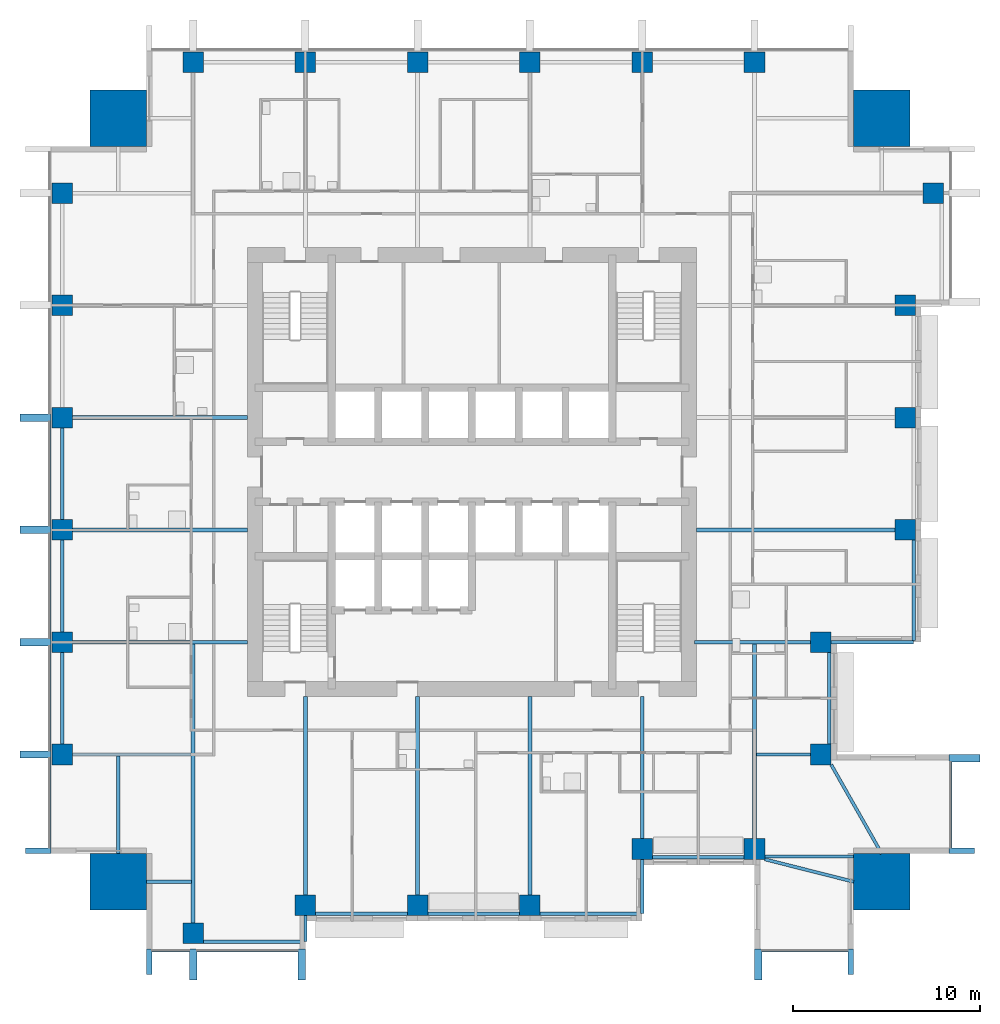
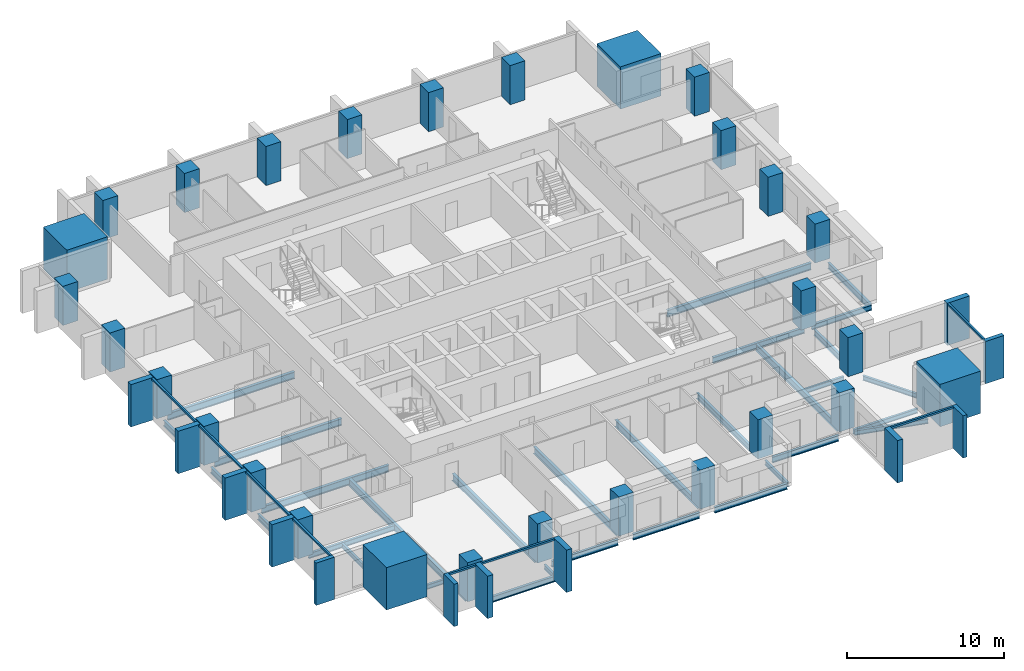
# One storey, part 1 of 10: 31 beams, 28 columns, 20 members, 4 elements without a shape of their own.
"""IFC4 building model written with IfcOpenShell, lengths in metres."""

from ifc_helpers import new_model, si_unit, direction, frame, origin, origin_2d, place, context, subcontext, project, spatial, rectangle, i_section, extrude, material, material_profile, profile_set, type_object, element, aggregate, save


model = new_model("IFC4")

# Units and contexts
model_context = context("Model", 3, precision=1e-05, world=origin(), true_north=direction((0.0, 1.0)))
body_context = subcontext(model_context, "Body", "Model", "MODEL_VIEW")
ifc_project = project(units=[si_unit("LENGTHUNIT", "METRE"), si_unit("AREAUNIT", "SQUARE_METRE"), si_unit("VOLUMEUNIT", "CUBIC_METRE"), si_unit("PLANEANGLEUNIT", "RADIAN"), si_unit("MASSUNIT", "GRAM", prefix="KILO")], contexts=[model_context])

# Site, building, storey
site_placement = place(None, origin())
site = spatial("IfcSite", under=ifc_project, at=site_placement, CompositionType="ELEMENT")
building_placement = place(site_placement, origin())
building = spatial("IfcBuilding", under=site, at=building_placement, Name="Amberfall Residences", CompositionType="ELEMENT")
storey_placement = place(building_placement, frame((0.0, 0.0, 85.300048828125)))
storey = spatial("IfcBuildingStorey", under=building, at=storey_placement, Name="L22", CompositionType="ELEMENT", Elevation=85.300048828125)

# Columns
ifc_material_1 = material(Name="Concrete C70", Category="concrete")
ifc_material_profile_1 = material_profile(ifc_material_1, rectangle(XDim=1.10009765625, YDim=1.10009765625, at=origin_2d()), Name="Column 1100 x 1100 C70")
ifc_profile_set_1 = profile_set([ifc_material_profile_1], Name="Concrete C70")
column_type_1 = type_object("IfcColumnType", Name="Column 1100 x 1100 C70", PredefinedType="COLUMN", material=ifc_profile_set_1)
for number, where, z_axis, x_axis, name in (
    (1, (59.60009765625, 20.85009765625, 0.0), (0.0, 0.0, 1.0), (1.0, 0.0, 0.0), "Column C2 L22 S1"),
    (2, (65.60009765625, 22.35009765625, 0.0), (0.0, 0.0, 1.0), (1.0, 0.0, 0.0), "Column C2 L22 S2"),
    (3, (71.60009765625, 22.35009765625, 0.0), (0.0, 0.0, 1.0), (1.0, 0.0, 0.0), "Column C2 L22 S3"),
    (4, (77.60009765625, 22.35009765625, 0.0), (0.0, 0.0, 1.0), (1.0, 0.0, 0.0), "Column C2 L22 S4"),
    (5, (83.60009765625, 25.35009765625, 0.0), (0.0, 0.0, 1.0), (1.0, 0.0, 0.0), "Column C2 L22 S5"),
    (6, (89.60009765625, 25.35009765625, 0.0), (0.0, 0.0, 1.0), (1.0, 0.0, 0.0), "Column C2 L22 S6"),
    (7, (93.14990234375, 30.39990234375, 0.0), (0.0, 0.0, 1.0), (1.0, 0.0, 0.0), "Column C2 L22 E1"),
    (8, (93.14990234375, 36.39990234375, 0.0), (0.0, 0.0, 1.0), (1.0, 0.0, 0.0), "Column C2 L22 E2"),
    (9, (97.64990234375, 42.39990234375, 0.0), (0.0, 0.0, 1.0), (1.0, 0.0, 0.0), "Column C2 L22 E3"),
    (10, (97.64990234375, 48.39990234375, 0.0), (0.0, 0.0, 1.0), (1.0, 0.0, 0.0), "Column C2 L22 E4"),
    (11, (97.64990234375, 54.39990234375, 0.0), (0.0, 0.0, 1.0), (1.0, 0.0, 0.0), "Column C2 L22 E5"),
    (12, (99.14990234375, 60.39990234375, 0.0), (0.0, 0.0, 1.0), (1.0, 0.0, 0.0), "Column C2 L22 E6"),
    (13, (59.60009765625, 67.39990234375, 0.0), (0.0, 0.0, 1.0), (1.0, 0.0, 0.0), "Column C2 L22 N1"),
    (14, (65.60009765625, 67.39990234375, 0.0), (0.0, 0.0, 1.0), (1.0, 0.0, 0.0), "Column C2 L22 N2"),
    (15, (71.60009765625, 67.39990234375, 0.0), (0.0, 0.0, 1.0), (1.0, 0.0, 0.0), "Column C2 L22 N3"),
    (16, (77.60009765625, 67.39990234375, 0.0), (0.0, 0.0, 1.0), (1.0, 0.0, 0.0), "Column C2 L22 N4"),
    (17, (83.60009765625, 67.39990234375, 0.0), (0.0, 0.0, 1.0), (1.0, 0.0, 0.0), "Column C2 L22 N5"),
    (18, (89.60009765625, 67.39990234375, 0.0), (0.0, 0.0, 1.0), (1.0, 0.0, 0.0), "Column C2 L22 N6"),
    (19, (52.60009765625, 30.39990234375, 0.0), (0.0, 0.0, 1.0), (1.0, 0.0, 0.0), "Column C2 L22 W1"),
    (20, (52.60009765625, 36.39990234375, 0.0), (0.0, 0.0, 1.0), (1.0, 0.0, 0.0), "Column C2 L22 W2"),
    (21, (52.60009765625, 42.39990234375, 0.0), (0.0, 0.0, 1.0), (1.0, 0.0, 0.0), "Column C2 L22 W3"),
    (22, (52.60009765625, 48.39990234375, 0.0), (0.0, 0.0, 1.0), (1.0, 0.0, 0.0), "Column C2 L22 W4"),
    (23, (52.60009765625, 54.39990234375, 0.0), (0.0, 0.0, 1.0), (1.0, 0.0, 0.0), "Column C2 L22 W5"),
    (24, (52.60009765625, 60.39990234375, 0.0), (0.0, 0.0, 1.0), (1.0, 0.0, 0.0), "Column C2 L22 W6"),
):
    element("IfcColumn", number, at=place(storey_placement, frame(where, z_axis=z_axis, x_axis=x_axis)), inside=storey, type_object=column_type_1, Name=name, PredefinedType="COLUMN", context=body_context, shape_type="SweptSolid", body=[
        extrude(rectangle(XDim=1.10009765625, YDim=1.10009765625, at=origin_2d()), origin(), (0.0, 0.0, 1.0), 3.050048828125),
    ])
ifc_material_profile_2 = material_profile(ifc_material_1, rectangle(XDim=3.0, YDim=3.0, at=origin_2d()), Name="Mega column 3000 x 3000 C70")
ifc_profile_set_2 = profile_set([ifc_material_profile_2], Name="Concrete C70")
column_type_2 = type_object("IfcColumnType", Name="Mega column 3000 x 3000 C70", PredefinedType="COLUMN", material=ifc_profile_set_2)
for number, where, z_axis, x_axis, name in (
    (25, (55.60009765625, 23.60009765625, 0.0), (0.0, 0.0, 1.0), (1.0, 0.0, 0.0), "Mega column MC2 L22 SW"),
    (26, (96.39990234375, 23.60009765625, 0.0), (0.0, 0.0, 1.0), (1.0, 0.0, 0.0), "Mega column MC2 L22 SE"),
    (27, (96.39990234375, 64.39990234375, 0.0), (0.0, 0.0, 1.0), (1.0, 0.0, 0.0), "Mega column MC2 L22 NE"),
    (28, (55.60009765625, 64.39990234375, 0.0), (0.0, 0.0, 1.0), (1.0, 0.0, 0.0), "Mega column MC2 L22 NW"),
):
    element("IfcColumn", number, at=place(storey_placement, frame(where, z_axis=z_axis, x_axis=x_axis)), inside=storey, type_object=column_type_2, Name=name, PredefinedType="COLUMN", context=body_context, shape_type="SweptSolid", body=[
        extrude(rectangle(XDim=3.0, YDim=3.0, at=origin_2d()), origin(), (0.0, 0.0, 1.0), 3.300048828125),
    ])

# Curtain wall, members
ifc_material_2 = material(Name="Bronze anodised aluminium and glass", Category="aluminium")
curtain_wall_type = type_object("IfcCurtainWallType", Name="Curtain wall CW1 tower unit", PredefinedType="USERDEFINED", material=ifc_material_2)
curtain_wall_1_placement = place(storey_placement, origin())
curtain_wall_1 = element("IfcCurtainWall", 29, at=curtain_wall_1_placement, inside=storey, type_object=curtain_wall_type, Name="Curtain wall L22 S S1", ObjectType="UNITISED CURTAIN WALL", PredefinedType="USERDEFINED")
ifc_material_3 = material(Name="Bronze anodised aluminium", Category="aluminium")
ifc_material_profile_3 = material_profile(ifc_material_3, rectangle(XDim=0.14990234375, YDim=0.14990234375, at=origin_2d()), Name="CW1 transom 150 x 150 bronze")
ifc_profile_set_3 = profile_set([ifc_material_profile_3], Name="Bronze anodised aluminium")
member_type_1 = type_object("IfcMemberType", Name="CW1 transom 150 x 150 bronze", PredefinedType="USERDEFINED", material=ifc_profile_set_3)
member_1_placement = place(storey_placement, frame((57.39990234375, 19.925048828125, 2.974853515625), z_axis=(1.0, 0.0, 0.0), x_axis=(0.0, 1.0, 0.0)))
member_1 = element("IfcMember", 30, at=member_1_placement, type_object=member_type_1, Name="CW1 transom 1.1", ObjectType="TRANSOM", PredefinedType="USERDEFINED", context=body_context, shape_type="SweptSolid", body=[
    extrude(rectangle(XDim=0.14990234375, YDim=0.14990234375, at=origin_2d()), origin(), (0.0, 0.0, 1.0), 2.0),
])
member_2_placement = place(storey_placement, frame((59.800048828125, 19.925048828125, 2.974853515625), z_axis=(1.0, 0.0, 0.0), x_axis=(0.0, 1.0, 0.0)))
member_2 = element("IfcMember", 31, at=member_2_placement, type_object=member_type_1, Name="CW1 transom 2.1", ObjectType="TRANSOM", PredefinedType="USERDEFINED", context=body_context, shape_type="SweptSolid", body=[
    extrude(rectangle(XDim=0.14990234375, YDim=0.14990234375, at=origin_2d()), origin(), (0.0, 0.0, 1.0), 5.39990234375),
])

# Curtain wall, member
curtain_wall_2_placement = place(storey_placement, origin())
curtain_wall_2 = element("IfcCurtainWall", 32, at=curtain_wall_2_placement, inside=storey, type_object=curtain_wall_type, Name="Curtain wall L22 S S9", ObjectType="UNITISED CURTAIN WALL", PredefinedType="USERDEFINED")
member_3_placement = place(storey_placement, frame((90.0, 19.925048828125, 2.974853515625), z_axis=(1.0, 0.0, 0.0), x_axis=(0.0, 1.0, 0.0)))
member_3 = element("IfcMember", 33, at=member_3_placement, type_object=member_type_1, Name="CW1 transom 1.1", ObjectType="TRANSOM", PredefinedType="USERDEFINED", context=body_context, shape_type="SweptSolid", body=[
    extrude(rectangle(XDim=0.14990234375, YDim=0.14990234375, at=origin_2d()), origin(), (0.0, 0.0, 1.0), 4.60009765625),
])

curtain_wall_3_placement = place(storey_placement, origin())
curtain_wall_3 = element("IfcCurtainWall", 34, at=curtain_wall_3_placement, inside=storey, type_object=curtain_wall_type, Name="Curtain wall L22 E E1", ObjectType="UNITISED CURTAIN WALL", PredefinedType="USERDEFINED")
member_4_placement = place(storey_placement, frame((100.074951171875, 25.39990234375, 2.974853515625), z_axis=(0.0, 1.0, 0.0), x_axis=(-1.0, 0.0, 0.0)))
member_4 = element("IfcMember", 35, at=member_4_placement, type_object=member_type_1, Name="CW1 transom 1.1", ObjectType="TRANSOM", PredefinedType="USERDEFINED", context=body_context, shape_type="SweptSolid", body=[
    extrude(rectangle(XDim=0.14990234375, YDim=0.14990234375, at=origin_2d()), origin(), (0.0, 0.0, 1.0), 4.60009765625),
])

# Curtain wall, members
curtain_wall_4_placement = place(storey_placement, origin())
curtain_wall_4 = element("IfcCurtainWall", 36, at=curtain_wall_4_placement, inside=storey, type_object=curtain_wall_type, Name="Curtain wall L22 W W1", ObjectType="UNITISED CURTAIN WALL", PredefinedType="USERDEFINED")
member_5_placement = place(storey_placement, frame((51.925048828125, 48.199951171875, 2.974853515625), z_axis=(0.0, -1.0, 0.0), x_axis=(1.0, 0.0, 0.0)))
member_5 = element("IfcMember", 37, at=member_5_placement, type_object=member_type_1, Name="CW1 transom 4.1", ObjectType="TRANSOM", PredefinedType="USERDEFINED", context=body_context, shape_type="SweptSolid", body=[
    extrude(rectangle(XDim=0.14990234375, YDim=0.14990234375, at=origin_2d()), origin(), (0.0, 0.0, 1.0), 5.599853515625),
])
member_6_placement = place(storey_placement, frame((51.925048828125, 42.199951171875, 2.974853515625), z_axis=(0.0, -1.0, 0.0), x_axis=(1.0, 0.0, 0.0)))
member_6 = element("IfcMember", 38, at=member_6_placement, type_object=member_type_1, Name="CW1 transom 5.1", ObjectType="TRANSOM", PredefinedType="USERDEFINED", context=body_context, shape_type="SweptSolid", body=[
    extrude(rectangle(XDim=0.14990234375, YDim=0.14990234375, at=origin_2d()), origin(), (0.0, 0.0, 1.0), 5.599853515625),
])
member_7_placement = place(storey_placement, frame((51.925048828125, 36.199951171875, 2.974853515625), z_axis=(0.0, -1.0, 0.0), x_axis=(1.0, 0.0, 0.0)))
member_7 = element("IfcMember", 39, at=member_7_placement, type_object=member_type_1, Name="CW1 transom 6.1", ObjectType="TRANSOM", PredefinedType="USERDEFINED", context=body_context, shape_type="SweptSolid", body=[
    extrude(rectangle(XDim=0.14990234375, YDim=0.14990234375, at=origin_2d()), origin(), (0.0, 0.0, 1.0), 5.599853515625),
])
member_8_placement = place(storey_placement, frame((51.925048828125, 30.199951171875, 2.974853515625), z_axis=(0.0, -1.0, 0.0), x_axis=(1.0, 0.0, 0.0)))
member_8 = element("IfcMember", 40, at=member_8_placement, type_object=member_type_1, Name="CW1 transom 7.1", ObjectType="TRANSOM", PredefinedType="USERDEFINED", context=body_context, shape_type="SweptSolid", body=[
    extrude(rectangle(XDim=0.14990234375, YDim=0.14990234375, at=origin_2d()), origin(), (0.0, 0.0, 1.0), 4.800048828125),
])

# Beams
ifc_material_4 = material(Name="Steel S355", Category="steel")
ifc_material_profile_4 = material_profile(ifc_material_4, i_section(OverallWidth=0.171142578125, OverallDepth=0.351318359375, WebThickness=0.007080078125, FlangeThickness=0.009765625, FilletRadius=0.01025390625, at=origin_2d()), Name="UB 356x171x45")
ifc_profile_set_4 = profile_set([ifc_material_profile_4], Name="Steel S355")
beam_type_1 = type_object("IfcBeamType", Name="Cantilever girder UB 356x171x45", PredefinedType="BEAM", material=ifc_profile_set_4)
beam_1_placement = place(storey_placement, frame((65.60009765625, 21.800048828125, -0.42578125), z_axis=(0.0, -1.0, 0.0), x_axis=(1.0, 0.0, 0.0)))
element("IfcBeam", 41, at=beam_1_placement, inside=storey, type_object=beam_type_1, Name="Cantilever girder B8 L22 06", PredefinedType="BEAM", context=body_context, shape_type="SweptSolid", body=[
    extrude(i_section(OverallWidth=0.171142578125, OverallDepth=0.351318359375, WebThickness=0.007080078125, FlangeThickness=0.009765625, FilletRadius=0.01025390625, at=origin_2d()), origin(), (0.0, 0.0, 1.0), 1.400146484375),
])
beam_2_placement = place(storey_placement, frame((83.60009765625, 24.800048828125, -0.42578125), z_axis=(0.0, -1.0, 0.0), x_axis=(1.0, 0.0, 0.0)))
element("IfcBeam", 42, at=beam_2_placement, inside=storey, type_object=beam_type_1, Name="Cantilever girder B8 L22 07", PredefinedType="BEAM", context=body_context, shape_type="SweptSolid", body=[
    extrude(i_section(OverallWidth=0.171142578125, OverallDepth=0.351318359375, WebThickness=0.007080078125, FlangeThickness=0.009765625, FilletRadius=0.01025390625, at=origin_2d()), origin(), (0.0, 0.0, 1.0), 2.900146484375),
])
ifc_material_profile_5 = material_profile(ifc_material_4, i_section(OverallWidth=0.177734375, OverallDepth=0.402587890625, WebThickness=0.0078125, FlangeThickness=0.010986328125, FilletRadius=0.01025390625, at=origin_2d()), Name="UB 406x178x54")
ifc_profile_set_5 = profile_set([ifc_material_profile_5], Name="Steel S355")
beam_type_2 = type_object("IfcBeamType", Name="Cantilever girder UB 406x178x54", PredefinedType="BEAM", material=ifc_profile_set_5)
beam_3_placement = place(storey_placement, frame((93.699951171875, 36.39990234375, -0.451416015625), z_axis=(1.0, 0.0, 0.0), x_axis=(0.0, 1.0, 0.0)))
element("IfcBeam", 43, at=beam_3_placement, inside=storey, type_object=beam_type_2, Name="Cantilever girder B9 L22 19", PredefinedType="BEAM", context=body_context, shape_type="SweptSolid", body=[
    extrude(i_section(OverallWidth=0.177734375, OverallDepth=0.402587890625, WebThickness=0.0078125, FlangeThickness=0.010986328125, FilletRadius=0.01025390625, at=origin_2d()), origin(), (0.0, 0.0, 1.0), 4.400146484375),
])

# Member
ifc_material_profile_6 = material_profile(ifc_material_3, rectangle(XDim=1.35009765625, YDim=0.300048828125, at=origin_2d()), Name="Corner fin 300 x 1350 bronze")
ifc_profile_set_6 = profile_set([ifc_material_profile_6], Name="Bronze anodised aluminium")
member_type_2 = type_object("IfcMemberType", Name="Corner fin 300 x 1350 bronze", PredefinedType="MULLION", material=ifc_profile_set_6)
member_9_placement = place(storey_placement, frame((57.25, 19.324951171875, -0.25), z_axis=(0.0, 0.0, 1.0), x_axis=(0.0, 1.0, 0.0)))
member_9 = element("IfcMember", 44, at=member_9_placement, type_object=member_type_2, Name="CW FIN 1", PredefinedType="MULLION", context=body_context, shape_type="SweptSolid", body=[
    extrude(rectangle(XDim=1.35009765625, YDim=0.300048828125, at=origin_2d()), origin(), (0.0, 0.0, 1.0), 3.300048828125),
])

member_10_placement = place(storey_placement, frame((94.75, 19.324951171875, -0.25), z_axis=(0.0, 0.0, 1.0), x_axis=(0.0, 1.0, 0.0)))
member_10 = element("IfcMember", 45, at=member_10_placement, type_object=member_type_2, Name="CW FIN 2", PredefinedType="MULLION", context=body_context, shape_type="SweptSolid", body=[
    extrude(rectangle(XDim=1.35009765625, YDim=0.300048828125, at=origin_2d()), origin(), (0.0, 0.0, 1.0), 3.300048828125),
])

member_11_placement = place(storey_placement, frame((100.675048828125, 25.25, -0.25), z_axis=(0.0, 0.0, 1.0), x_axis=(-1.0, 0.0, 0.0)))
member_11 = element("IfcMember", 46, at=member_11_placement, type_object=member_type_2, Name="CW FIN 1", PredefinedType="MULLION", context=body_context, shape_type="SweptSolid", body=[
    extrude(rectangle(XDim=1.35009765625, YDim=0.300048828125, at=origin_2d()), origin(), (0.0, 0.0, 1.0), 3.300048828125),
])

member_12_placement = place(storey_placement, frame((51.324951171875, 25.25, -0.25), z_axis=(0.0, 0.0, 1.0), x_axis=(1.0, 0.0, 0.0)))
member_12 = element("IfcMember", 47, at=member_12_placement, type_object=member_type_2, Name="CW FIN 8", PredefinedType="MULLION", context=body_context, shape_type="SweptSolid", body=[
    extrude(rectangle(XDim=1.35009765625, YDim=0.300048828125, at=origin_2d()), origin(), (0.0, 0.0, 1.0), 3.300048828125),
])

# Beams
ifc_material_profile_7 = material_profile(ifc_material_4, i_section(OverallWidth=0.18994140625, OverallDepth=0.453369140625, WebThickness=0.008544921875, FlangeThickness=0.0126953125, FilletRadius=0.01025390625, at=origin_2d()), Name="UB 457x191x67")
ifc_profile_set_7 = profile_set([ifc_material_profile_7], Name="Steel S355")
beam_type_3 = type_object("IfcBeamType", Name="Edge beam UB 457x191x67", PredefinedType="SPANDREL", material=ifc_profile_set_7)
beam_4_placement = place(storey_placement, frame((60.14990234375, 20.39990234375, -0.476806640625), z_axis=(1.0, 0.0, 0.0), x_axis=(0.0, 1.0, 0.0)))
element("IfcBeam", 48, at=beam_4_placement, inside=storey, type_object=beam_type_3, Name="Edge beam B1 L22 01", PredefinedType="SPANDREL", context=body_context, shape_type="SweptSolid", body=[
    extrude(i_section(OverallWidth=0.18994140625, OverallDepth=0.453369140625, WebThickness=0.008544921875, FlangeThickness=0.0126953125, FilletRadius=0.01025390625, at=origin_2d()), origin(), (0.0, 0.0, 1.0), 5.3701171875),
])
for number, where, z_axis, x_axis, name in (
    (49, (66.14990234375, 21.89990234375, -0.476806640625), (1.0, 0.0, 0.0), (0.0, 1.0, 0.0), "Edge beam B1 L22 02"),
    (50, (72.14990234375, 21.89990234375, -0.476806640625), (1.0, 0.0, 0.0), (0.0, 1.0, 0.0), "Edge beam B1 L22 03"),
):
    element("IfcBeam", number, at=place(storey_placement, frame(where, z_axis=z_axis, x_axis=x_axis)), inside=storey, type_object=beam_type_3, Name=name, PredefinedType="SPANDREL", context=body_context, shape_type="SweptSolid", body=[
        extrude(i_section(OverallWidth=0.18994140625, OverallDepth=0.453369140625, WebThickness=0.008544921875, FlangeThickness=0.0126953125, FilletRadius=0.01025390625, at=origin_2d()), origin(), (0.0, 0.0, 1.0), 4.900146484375),
    ])
beam_5_placement = place(storey_placement, frame((78.14990234375, 21.89990234375, -0.476806640625), z_axis=(1.0, 0.0, 0.0), x_axis=(0.0, 1.0, 0.0)))
element("IfcBeam", 51, at=beam_5_placement, inside=storey, type_object=beam_type_3, Name="Edge beam B1 L22 04", PredefinedType="SPANDREL", context=body_context, shape_type="SweptSolid", body=[
    extrude(i_section(OverallWidth=0.18994140625, OverallDepth=0.453369140625, WebThickness=0.008544921875, FlangeThickness=0.0126953125, FilletRadius=0.01025390625, at=origin_2d()), origin(), (0.0, 0.0, 1.0), 5.3701171875),
])
for number, where, z_axis, x_axis, name in (
    (52, (84.14990234375, 24.89990234375, -0.476806640625), (1.0, 0.0, 0.0), (0.0, 1.0, 0.0), "Edge beam B1 L22 05"),
    (53, (93.60009765625, 30.949951171875, -0.476806640625), (0.0, 1.0, 0.0), (-1.0, 0.0, 0.0), "Edge beam B1 L22 14"),
):
    element("IfcBeam", number, at=place(storey_placement, frame(where, z_axis=z_axis, x_axis=x_axis)), inside=storey, type_object=beam_type_3, Name=name, PredefinedType="SPANDREL", context=body_context, shape_type="SweptSolid", body=[
        extrude(i_section(OverallWidth=0.18994140625, OverallDepth=0.453369140625, WebThickness=0.008544921875, FlangeThickness=0.0126953125, FilletRadius=0.01025390625, at=origin_2d()), origin(), (0.0, 0.0, 1.0), 4.900146484375),
    ])
beam_6_placement = place(storey_placement, frame((98.10009765625, 36.47998046875, -0.476806640625), z_axis=(0.0, 1.0, 0.0), x_axis=(-1.0, 0.0, 0.0)))
element("IfcBeam", 54, at=beam_6_placement, inside=storey, type_object=beam_type_3, Name="Edge beam B1 L22 15", PredefinedType="SPANDREL", context=body_context, shape_type="SweptSolid", body=[
    extrude(i_section(OverallWidth=0.18994140625, OverallDepth=0.453369140625, WebThickness=0.008544921875, FlangeThickness=0.0126953125, FilletRadius=0.01025390625, at=origin_2d()), origin(), (0.0, 0.0, 1.0), 5.3701171875),
])
for number, where, z_axis, x_axis, name in (
    (55, (52.60009765625, 30.949951171875, -0.476806640625), (0.0, 1.0, 0.0), (-1.0, 0.0, 0.0), "Edge beam B1 L22 38"),
    (56, (52.60009765625, 36.949951171875, -0.476806640625), (0.0, 1.0, 0.0), (-1.0, 0.0, 0.0), "Edge beam B1 L22 39"),
    (57, (52.60009765625, 42.949951171875, -0.476806640625), (0.0, 1.0, 0.0), (-1.0, 0.0, 0.0), "Edge beam B1 L22 40"),
):
    element("IfcBeam", number, at=place(storey_placement, frame(where, z_axis=z_axis, x_axis=x_axis)), inside=storey, type_object=beam_type_3, Name=name, PredefinedType="SPANDREL", context=body_context, shape_type="SweptSolid", body=[
        extrude(i_section(OverallWidth=0.18994140625, OverallDepth=0.453369140625, WebThickness=0.008544921875, FlangeThickness=0.0126953125, FilletRadius=0.01025390625, at=origin_2d()), origin(), (0.0, 0.0, 1.0), 4.900146484375),
    ])

# Member
ifc_material_profile_8 = material_profile(ifc_material_3, rectangle(XDim=1.64990234375, YDim=0.39990234375, at=origin_2d()), Name="Fin 400 x 1650 bronze")
ifc_profile_set_8 = profile_set([ifc_material_profile_8], Name="Bronze anodised aluminium")
member_type_3 = type_object("IfcMemberType", Name="Fin 400 x 1650 bronze", PredefinedType="MULLION", material=ifc_profile_set_8)
member_13_placement = place(storey_placement, frame((59.60009765625, 19.175048828125, -0.25), z_axis=(0.0, 0.0, 1.0), x_axis=(0.0, 1.0, 0.0)))
member_13 = element("IfcMember", 58, at=member_13_placement, type_object=member_type_3, Name="CW FIN 2", PredefinedType="MULLION", context=body_context, shape_type="SweptSolid", body=[
    extrude(rectangle(XDim=1.64990234375, YDim=0.39990234375, at=origin_2d()), origin(), (0.0, 0.0, 1.0), 3.300048828125),
])

member_14_placement = place(storey_placement, frame((65.39990234375, 19.175048828125, -0.25), z_axis=(0.0, 0.0, 1.0), x_axis=(0.0, 1.0, 0.0)))
member_14 = element("IfcMember", 59, at=member_14_placement, type_object=member_type_3, Name="CW FIN 3", PredefinedType="MULLION", context=body_context, shape_type="SweptSolid", body=[
    extrude(rectangle(XDim=1.64990234375, YDim=0.39990234375, at=origin_2d()), origin(), (0.0, 0.0, 1.0), 3.300048828125),
])

aggregate(curtain_wall_1, [member_9, member_13, member_14, member_1, member_2])

member_15_placement = place(storey_placement, frame((89.800048828125, 19.175048828125, -0.25), z_axis=(0.0, 0.0, 1.0), x_axis=(0.0, 1.0, 0.0)))
member_15 = element("IfcMember", 60, at=member_15_placement, type_object=member_type_3, Name="CW FIN 1", PredefinedType="MULLION", context=body_context, shape_type="SweptSolid", body=[
    extrude(rectangle(XDim=1.64990234375, YDim=0.39990234375, at=origin_2d()), origin(), (0.0, 0.0, 1.0), 3.300048828125),
])

aggregate(curtain_wall_2, [member_15, member_10, member_3])

member_16_placement = place(storey_placement, frame((100.824951171875, 30.199951171875, -0.25), z_axis=(0.0, 0.0, 1.0), x_axis=(-1.0, 0.0, 0.0)))
member_16 = element("IfcMember", 61, at=member_16_placement, type_object=member_type_3, Name="CW FIN 2", PredefinedType="MULLION", context=body_context, shape_type="SweptSolid", body=[
    extrude(rectangle(XDim=1.64990234375, YDim=0.39990234375, at=origin_2d()), origin(), (0.0, 0.0, 1.0), 3.300048828125),
])

aggregate(curtain_wall_3, [member_11, member_16, member_4])

member_17_placement = place(storey_placement, frame((51.175048828125, 48.39990234375, -0.25), z_axis=(0.0, 0.0, 1.0), x_axis=(1.0, 0.0, 0.0)))
member_17 = element("IfcMember", 62, at=member_17_placement, type_object=member_type_3, Name="CW FIN 4", PredefinedType="MULLION", context=body_context, shape_type="SweptSolid", body=[
    extrude(rectangle(XDim=1.64990234375, YDim=0.39990234375, at=origin_2d()), origin(), (0.0, 0.0, 1.0), 3.300048828125),
])

member_18_placement = place(storey_placement, frame((51.175048828125, 42.39990234375, -0.25), z_axis=(0.0, 0.0, 1.0), x_axis=(1.0, 0.0, 0.0)))
member_18 = element("IfcMember", 63, at=member_18_placement, type_object=member_type_3, Name="CW FIN 5", PredefinedType="MULLION", context=body_context, shape_type="SweptSolid", body=[
    extrude(rectangle(XDim=1.64990234375, YDim=0.39990234375, at=origin_2d()), origin(), (0.0, 0.0, 1.0), 3.300048828125),
])

member_19_placement = place(storey_placement, frame((51.175048828125, 36.39990234375, -0.25), z_axis=(0.0, 0.0, 1.0), x_axis=(1.0, 0.0, 0.0)))
member_19 = element("IfcMember", 64, at=member_19_placement, type_object=member_type_3, Name="CW FIN 6", PredefinedType="MULLION", context=body_context, shape_type="SweptSolid", body=[
    extrude(rectangle(XDim=1.64990234375, YDim=0.39990234375, at=origin_2d()), origin(), (0.0, 0.0, 1.0), 3.300048828125),
])

member_20_placement = place(storey_placement, frame((51.175048828125, 30.39990234375, -0.25), z_axis=(0.0, 0.0, 1.0), x_axis=(1.0, 0.0, 0.0)))
member_20 = element("IfcMember", 65, at=member_20_placement, type_object=member_type_3, Name="CW FIN 7", PredefinedType="MULLION", context=body_context, shape_type="SweptSolid", body=[
    extrude(rectangle(XDim=1.64990234375, YDim=0.39990234375, at=origin_2d()), origin(), (0.0, 0.0, 1.0), 3.300048828125),
])

aggregate(curtain_wall_4, [member_17, member_18, member_19, member_20, member_12, member_5, member_6, member_7, member_8])

# Beams
ifc_material_profile_9 = material_profile(ifc_material_4, i_section(OverallWidth=0.171142578125, OverallDepth=0.351318359375, WebThickness=0.007080078125, FlangeThickness=0.009765625, FilletRadius=0.01025390625, at=origin_2d()), Name="UB 356x171x45")
ifc_profile_set_9 = profile_set([ifc_material_profile_9], Name="Steel S355")
beam_type_4 = type_object("IfcBeamType", Name="Floor girder UB 356x171x45", PredefinedType="BEAM", material=ifc_profile_set_9)
beam_7_placement = place(storey_placement, frame((92.60009765625, 30.39990234375, -0.42578125), z_axis=(-1.0, 0.0, 0.0), x_axis=(0.0, -1.0, 0.0)))
element("IfcBeam", 66, at=beam_7_placement, inside=storey, type_object=beam_type_4, Name="Floor girder B11 L22 21", PredefinedType="BEAM", context=body_context, shape_type="SweptSolid", body=[
    extrude(i_section(OverallWidth=0.171142578125, OverallDepth=0.351318359375, WebThickness=0.007080078125, FlangeThickness=0.009765625, FilletRadius=0.01025390625, at=origin_2d()), origin(), (0.0, 0.0, 1.0), 2.880126953125),
])
ifc_material_profile_10 = material_profile(ifc_material_4, i_section(OverallWidth=0.177734375, OverallDepth=0.402587890625, WebThickness=0.0078125, FlangeThickness=0.010986328125, FilletRadius=0.01025390625, at=origin_2d()), Name="UB 406x178x54")
ifc_profile_set_10 = profile_set([ifc_material_profile_10], Name="Steel S355")
beam_type_5 = type_object("IfcBeamType", Name="Floor girder UB 406x178x54", PredefinedType="BEAM", material=ifc_profile_set_10)
beam_8_placement = place(storey_placement, frame((53.14990234375, 30.39990234375, -0.451416015625), z_axis=(1.0, 0.0, 0.0), x_axis=(0.0, 1.0, 0.0)))
element("IfcBeam", 67, at=beam_8_placement, inside=storey, type_object=beam_type_5, Name="Floor girder B4 L22 43", PredefinedType="BEAM", context=body_context, shape_type="SweptSolid", body=[
    extrude(i_section(OverallWidth=0.177734375, OverallDepth=0.402587890625, WebThickness=0.0078125, FlangeThickness=0.010986328125, FilletRadius=0.01025390625, at=origin_2d()), origin(), (0.0, 0.0, 1.0), 6.330078125),
])
ifc_material_profile_11 = material_profile(ifc_material_4, i_section(OverallWidth=0.19140625, OverallDepth=0.4599609375, WebThickness=0.010009765625, FlangeThickness=0.01611328125, FilletRadius=0.01025390625, at=origin_2d()), Name="UB 457x191x82")
ifc_profile_set_11 = profile_set([ifc_material_profile_11], Name="Steel S355")
beam_type_6 = type_object("IfcBeamType", Name="Floor girder UB 457x191x82", PredefinedType="BEAM", material=ifc_profile_set_11)
beam_9_placement = place(storey_placement, frame((83.60009765625, 25.89990234375, -0.47998046875), z_axis=(0.0, 1.0, 0.0), x_axis=(-1.0, 0.0, 0.0)))
element("IfcBeam", 68, at=beam_9_placement, inside=storey, type_object=beam_type_6, Name="Floor girder B10 L22 12", PredefinedType="BEAM", context=body_context, shape_type="SweptSolid", body=[
    extrude(i_section(OverallWidth=0.19140625, OverallDepth=0.4599609375, WebThickness=0.010009765625, FlangeThickness=0.01611328125, FilletRadius=0.01025390625, at=origin_2d()), origin(), (0.0, 0.0, 1.0), 7.60009765625),
])
beam_10_placement = place(storey_placement, frame((93.14990234375, 36.39990234375, -0.47998046875), z_axis=(-1.0, 0.0, 0.0), x_axis=(0.0, -1.0, 0.0)))
element("IfcBeam", 69, at=beam_10_placement, inside=storey, type_object=beam_type_6, Name="Floor girder B10 L22 22", PredefinedType="BEAM", context=body_context, shape_type="SweptSolid", body=[
    extrude(i_section(OverallWidth=0.19140625, OverallDepth=0.4599609375, WebThickness=0.010009765625, FlangeThickness=0.01611328125, FilletRadius=0.01025390625, at=origin_2d()), origin(), (0.0, 0.0, 1.0), 6.75),
])
ifc_material_profile_12 = material_profile(ifc_material_4, i_section(OverallWidth=0.210693359375, OverallDepth=0.53955078125, WebThickness=0.01171875, FlangeThickness=0.018798828125, FilletRadius=0.0126953125, at=origin_2d()), Name="UB 533x210x109")
ifc_profile_set_12 = profile_set([ifc_material_profile_12], Name="Steel S355")
beam_type_7 = type_object("IfcBeamType", Name="Floor girder UB 533x210x109", PredefinedType="BEAM", material=ifc_profile_set_12)
beam_11_placement = place(storey_placement, frame((59.60009765625, 21.39990234375, -0.519775390625), z_axis=(0.0, 1.0, 0.0), x_axis=(-1.0, 0.0, 0.0)))
element("IfcBeam", 70, at=beam_11_placement, inside=storey, type_object=beam_type_7, Name="Floor girder B2 L22 08", PredefinedType="BEAM", context=body_context, shape_type="SweptSolid", body=[
    extrude(i_section(OverallWidth=0.210693359375, OverallDepth=0.53955078125, WebThickness=0.01171875, FlangeThickness=0.018798828125, FilletRadius=0.0126953125, at=origin_2d()), origin(), (0.0, 0.0, 1.0), 14.900390625),
])
ifc_material_profile_13 = material_profile(ifc_material_4, i_section(OverallWidth=0.209228515625, OverallDepth=0.533203125, WebThickness=0.010009765625, FlangeThickness=0.015625, FilletRadius=0.0126953125, at=origin_2d()), Name="UB 533x210x92")
ifc_profile_set_13 = profile_set([ifc_material_profile_13], Name="Steel S355")
beam_type_8 = type_object("IfcBeamType", Name="Floor girder UB 533x210x92", PredefinedType="BEAM", material=ifc_profile_set_13)
for number, where, z_axis, x_axis, name in (
    (71, (65.60009765625, 22.89990234375, -0.5166015625), (0.0, 1.0, 0.0), (-1.0, 0.0, 0.0), "Floor girder B3 L22 09"),
    (72, (71.60009765625, 22.89990234375, -0.5166015625), (0.0, 1.0, 0.0), (-1.0, 0.0, 0.0), "Floor girder B3 L22 10"),
    (73, (77.60009765625, 22.89990234375, -0.5166015625), (0.0, 1.0, 0.0), (-1.0, 0.0, 0.0), "Floor girder B3 L22 11"),
):
    element("IfcBeam", number, at=place(storey_placement, frame(where, z_axis=z_axis, x_axis=x_axis)), inside=storey, type_object=beam_type_8, Name=name, PredefinedType="BEAM", context=body_context, shape_type="SweptSolid", body=[
        extrude(i_section(OverallWidth=0.209228515625, OverallDepth=0.533203125, WebThickness=0.010009765625, FlangeThickness=0.015625, FilletRadius=0.0126953125, at=origin_2d()), origin(), (0.0, 0.0, 1.0), 10.60009765625),
    ])
beam_12_placement = place(storey_placement, frame((89.60009765625, 25.89990234375, -0.5166015625), z_axis=(0.0, 1.0, 0.0), x_axis=(-1.0, 0.0, 0.0)))
element("IfcBeam", 74, at=beam_12_placement, inside=storey, type_object=beam_type_8, Name="Floor girder B3 L22 13", PredefinedType="BEAM", context=body_context, shape_type="SweptSolid", body=[
    extrude(i_section(OverallWidth=0.209228515625, OverallDepth=0.533203125, WebThickness=0.010009765625, FlangeThickness=0.015625, FilletRadius=0.0126953125, at=origin_2d()), origin(), (0.0, 0.0, 1.0), 10.409423828125),
])
beam_13_placement = place(storey_placement, frame((97.10009765625, 42.39990234375, -0.5166015625), z_axis=(-1.0, 0.0, 0.0), x_axis=(0.0, -1.0, 0.0)))
element("IfcBeam", 75, at=beam_13_placement, inside=storey, type_object=beam_type_8, Name="Floor girder B3 L22 23", PredefinedType="BEAM", context=body_context, shape_type="SweptSolid", body=[
    extrude(i_section(OverallWidth=0.209228515625, OverallDepth=0.533203125, WebThickness=0.010009765625, FlangeThickness=0.015625, FilletRadius=0.0126953125, at=origin_2d()), origin(), (0.0, 0.0, 1.0), 10.60009765625),
])
for number, where, z_axis, x_axis, name in (
    (76, (53.14990234375, 36.39990234375, -0.5166015625), (1.0, 0.0, 0.0), (0.0, 1.0, 0.0), "Floor girder B3 L22 44"),
    (77, (53.14990234375, 42.39990234375, -0.5166015625), (1.0, 0.0, 0.0), (0.0, 1.0, 0.0), "Floor girder B3 L22 45"),
    (78, (53.14990234375, 48.39990234375, -0.5166015625), (1.0, 0.0, 0.0), (0.0, 1.0, 0.0), "Floor girder B3 L22 46"),
):
    element("IfcBeam", number, at=place(storey_placement, frame(where, z_axis=z_axis, x_axis=x_axis)), inside=storey, type_object=beam_type_8, Name=name, PredefinedType="BEAM", context=body_context, shape_type="SweptSolid", body=[
        extrude(i_section(OverallWidth=0.209228515625, OverallDepth=0.533203125, WebThickness=0.010009765625, FlangeThickness=0.015625, FilletRadius=0.0126953125, at=origin_2d()), origin(), (0.0, 0.0, 1.0), 9.35009765625),
    ])
ifc_material_profile_14 = material_profile(ifc_material_4, i_section(OverallWidth=0.171142578125, OverallDepth=0.351318359375, WebThickness=0.007080078125, FlangeThickness=0.009765625, FilletRadius=0.01025390625, at=origin_2d()), Name="UB 356x171x45")
ifc_profile_set_14 = profile_set([ifc_material_profile_14], Name="Steel S355")
beam_type_9 = type_object("IfcBeamType", Name="Link beam UB 356x171x45", PredefinedType="BEAM", material=ifc_profile_set_14)
beam_14_placement = place(storey_placement, frame((90.14990234375, 24.949951171875, -0.42578125), z_axis=(1.0, 0.0, 0.0), x_axis=(0.0, 1.0, 0.0)))
element("IfcBeam", 79, at=beam_14_placement, inside=storey, type_object=beam_type_9, Name="Link beam B7 L22 49", PredefinedType="BEAM", context=body_context, shape_type="SweptSolid", body=[
    extrude(i_section(OverallWidth=0.171142578125, OverallDepth=0.351318359375, WebThickness=0.007080078125, FlangeThickness=0.009765625, FilletRadius=0.01025390625, at=origin_2d()), origin(), (0.0, 0.0, 1.0), 4.75),
])
beam_15_placement = place(storey_placement, frame((57.10009765625, 23.60009765625, -0.42578125), z_axis=(1.0, 0.0, 0.0), x_axis=(0.0, 1.0, 0.0)))
element("IfcBeam", 80, at=beam_15_placement, inside=storey, type_object=beam_type_9, Name="Link beam B7 L22 50", PredefinedType="BEAM", context=body_context, shape_type="SweptSolid", body=[
    extrude(i_section(OverallWidth=0.171142578125, OverallDepth=0.351318359375, WebThickness=0.007080078125, FlangeThickness=0.009765625, FilletRadius=0.01025390625, at=origin_2d()), origin(), (0.0, 0.0, 1.0), 2.404541015625),
])
beam_16_placement = place(storey_placement, frame((55.60009765625, 25.10009765625, -0.42578125), z_axis=(0.0, 1.0, 0.0), x_axis=(-1.0, 0.0, 0.0)))
element("IfcBeam", 81, at=beam_16_placement, inside=storey, type_object=beam_type_9, Name="Link beam B7 L22 51", PredefinedType="BEAM", context=body_context, shape_type="SweptSolid", body=[
    extrude(i_section(OverallWidth=0.171142578125, OverallDepth=0.351318359375, WebThickness=0.007080078125, FlangeThickness=0.009765625, FilletRadius=0.01025390625, at=origin_2d()), origin(), (0.0, 0.0, 1.0), 5.22119140625),
])
beam_17_placement = place(storey_placement, frame((94.89990234375, 23.60009765625, -0.42578125), z_axis=(-0.969541561087, 0.244926848928, 0.0), x_axis=(-0.244926848928, -0.969541561087, 0.0)))
element("IfcBeam", 82, at=beam_17_placement, inside=storey, type_object=beam_type_9, Name="Link beam B7 L22 52", PredefinedType="BEAM", context=body_context, shape_type="SweptSolid", body=[
    extrude(i_section(OverallWidth=0.171142578125, OverallDepth=0.351318359375, WebThickness=0.007080078125, FlangeThickness=0.009765625, FilletRadius=0.01025390625, at=origin_2d()), origin(), (0.0, 0.0, 1.0), 4.899169921875),
])
beam_18_placement = place(storey_placement, frame((96.39990234375, 25.10009765625, -0.42578125), z_axis=(-0.494159870511, 0.869371049884, 0.0), x_axis=(-0.869371049884, -0.494159870511, 0.0)))
element("IfcBeam", 83, at=beam_18_placement, inside=storey, type_object=beam_type_9, Name="Link beam B7 L22 53", PredefinedType="BEAM", context=body_context, shape_type="SweptSolid", body=[
    extrude(i_section(OverallWidth=0.171142578125, OverallDepth=0.351318359375, WebThickness=0.007080078125, FlangeThickness=0.009765625, FilletRadius=0.01025390625, at=origin_2d()), origin(), (0.0, 0.0, 1.0), 5.463623046875),
])

save(model, "model.ifc")
